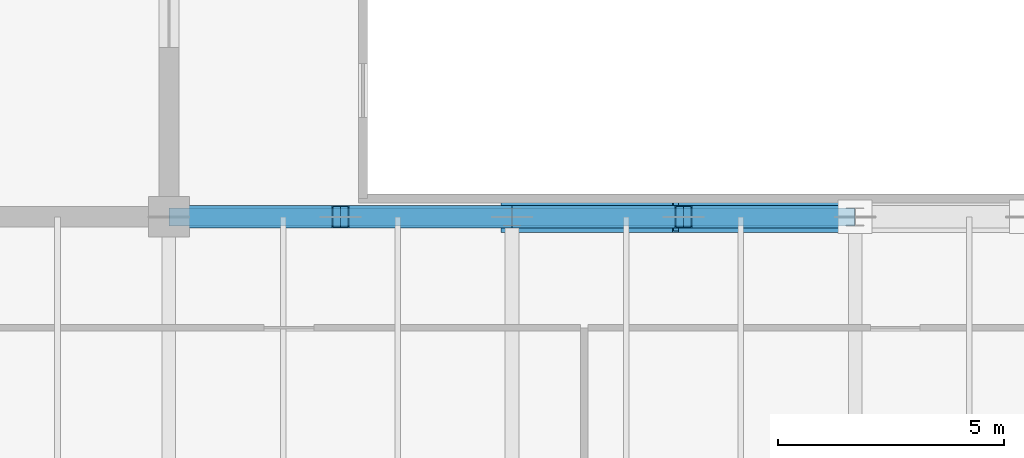
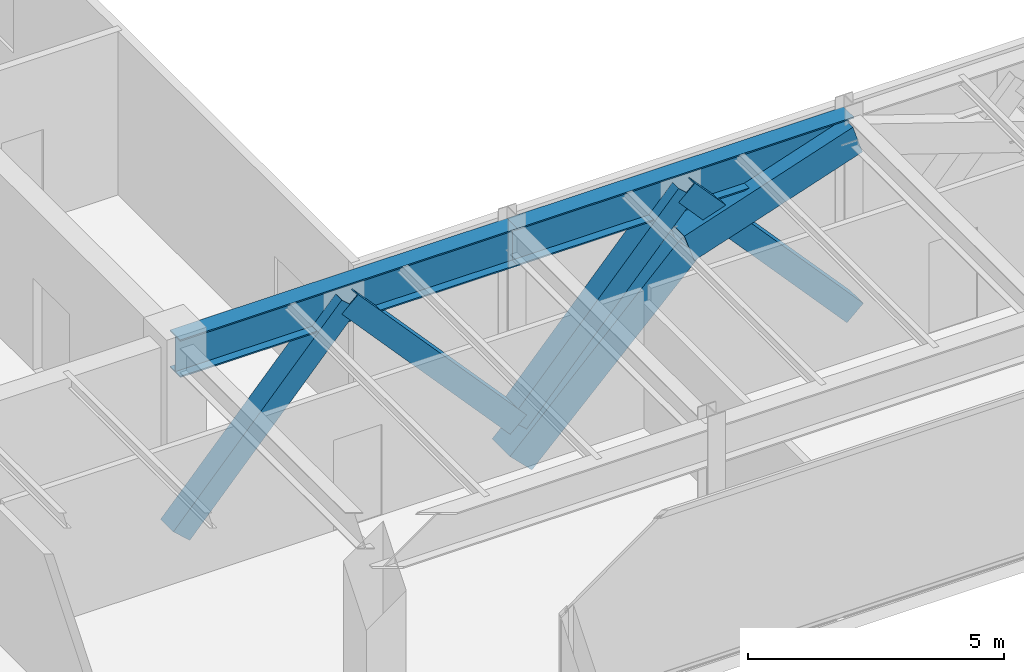
# One storey, part 8 of 32: 6 members, 2 beams.
"""IFC4 building model written with IfcOpenShell, lengths in metres."""

from ifc_helpers import new_model, si_unit, direction, frame, origin, origin_2d, place, context, subcontext, project, spatial, hollow_rectangle, i_section, extrude, source, transform, mapped, material, material_profile, profile_set, type_object, type_shapes, element, save


model = new_model("IFC4")

# Units and contexts
model_context = context("Model", 3, precision=1e-05, world=origin(), true_north=direction((0.0, 1.0)))
body_context = subcontext(model_context, "Body", "Model", "MODEL_VIEW")
ifc_project = project(units=[si_unit("LENGTHUNIT", "METRE"), si_unit("AREAUNIT", "SQUARE_METRE"), si_unit("VOLUMEUNIT", "CUBIC_METRE"), si_unit("PLANEANGLEUNIT", "RADIAN"), si_unit("MASSUNIT", "GRAM", prefix="KILO")], contexts=[model_context])

# Site, building, storey
site_placement = place(None, origin())
site = spatial("IfcSite", under=ifc_project, at=site_placement, CompositionType="ELEMENT")
building_placement = place(site_placement, origin())
building = spatial("IfcBuilding", under=site, at=building_placement, Name="Haelvirn Gate Laboratories", CompositionType="ELEMENT")
storey_placement = place(building_placement, frame((0.0, 0.0, 314.39990234375)))
storey = spatial("IfcBuildingStorey", under=building, at=storey_placement, Name="L75", CompositionType="ELEMENT", Elevation=314.39990234375)

# Beams
ifc_material = material(Name="Steel SM420", Category="steel")
ifc_material_profile_1 = material_profile(ifc_material, i_section(OverallWidth=0.39990234375, OverallDepth=0.89990234375, WebThickness=0.01904296875, FlangeThickness=0.031982421875, at=origin_2d()), Name="H-900x400x19x32")
ifc_profile_set_1 = profile_set([ifc_material_profile_1], Name="Steel SM420")
beam_type = type_object("IfcBeamType", Name="BM-TG-900", PredefinedType="BEAM", material=ifc_profile_set_1)
shared_shape_1 = source(origin(), body_context, "Body", "SweptSolid", [
    extrude(i_section(OverallWidth=0.39990234375, OverallDepth=0.89990234375, WebThickness=0.01904296875, FlangeThickness=0.031982421875, at=origin_2d()), origin(), (0.0, 0.0, 1.0), 7.60009765625),
])
beam_1_placement = place(storey_placement, frame((22.199951171875, 14.800048828125, 3.4501953125), z_axis=(1.0, 0.0, 0.0), x_axis=(0.0, 1.0, 0.0)))
element("IfcBeam", 1, at=beam_1_placement, inside=storey, type_object=beam_type, Name="L75 Primary Girder Y14.8 (22.2-29.8)", PredefinedType="BEAM", context=body_context, shape_type="MappedRepresentation", body=[
    mapped(shared_shape_1, transform((0.0, 0.0, 0.0), scale=1.0)),
])
shared_shape_2 = source(origin(), body_context, "Body", "SweptSolid", [
    extrude(i_section(OverallWidth=0.39990234375, OverallDepth=0.89990234375, WebThickness=0.01904296875, FlangeThickness=0.031982421875, at=origin_2d()), origin(), (0.0, 0.0, 1.0), 7.599853515625),
])
type_shapes(beam_type, [shared_shape_1, shared_shape_2])
beam_2_placement = place(storey_placement, frame((29.800048828125, 14.800048828125, 3.4501953125), z_axis=(1.0, 0.0, 0.0), x_axis=(0.0, 1.0, 0.0)))
element("IfcBeam", 2, at=beam_2_placement, inside=storey, type_object=beam_type, Name="L75 Primary Girder Y14.8 (29.8-37.4)", PredefinedType="BEAM", context=body_context, shape_type="MappedRepresentation", body=[
    mapped(shared_shape_2, transform((0.0, 0.0, 0.0), scale=1.0)),
])

# Members
ifc_material_profile_2 = material_profile(ifc_material, hollow_rectangle(XDim=0.699951171875, YDim=0.699951171875, WallThickness=0.031982421875, at=origin_2d()), Name="BOX-700x700x32")
ifc_profile_set_2 = profile_set([ifc_material_profile_2], Name="Steel SM420")
member_type_1 = type_object("IfcMemberType", Name="MEM-ARCH-RIB", PredefinedType="CHORD", material=ifc_profile_set_2)
shared_shape_3 = source(origin(), body_context, "Body", "SweptSolid", [
    extrude(hollow_rectangle(XDim=0.699951171875, YDim=0.699951171875, WallThickness=0.031982421875, at=origin_2d()), origin(), (0.0, 0.0, 1.0), 5.371826171875),
])
member_1_placement = place(storey_placement, frame((29.800048828125, 14.800048828125, -1.6123046875), z_axis=(0.707402133154, 0.0, 0.706811305802), x_axis=(0.0, 1.0, 0.0)))
element("IfcMember", 3, at=member_1_placement, inside=storey, type_object=member_type_1, Name="Parabolic Steel Arch Rib Y14.8 Seg 3", PredefinedType="CHORD", context=body_context, shape_type="MappedRepresentation", body=[
    mapped(shared_shape_3, transform((0.0, 0.0, 0.0), scale=1.0)),
])
shared_shape_4 = source(origin(), body_context, "Body", "SweptSolid", [
    extrude(hollow_rectangle(XDim=0.699951171875, YDim=0.699951171875, WallThickness=0.031982421875, at=origin_2d()), origin(), (0.0, 0.0, 1.0), 4.005126953125),
])
type_shapes(member_type_1, [shared_shape_3, shared_shape_4])
member_2_placement = place(storey_placement, frame((33.60009765625, 14.800048828125, 2.1845703125), z_axis=(0.94875642274, 0.0, 0.316008307343), x_axis=(0.0, 1.0, 0.0)))
element("IfcMember", 4, at=member_2_placement, inside=storey, type_object=member_type_1, Name="Parabolic Steel Arch Rib Y14.8 Seg 4", PredefinedType="CHORD", context=body_context, shape_type="MappedRepresentation", body=[
    mapped(shared_shape_4, transform((0.0, 0.0, 0.0), scale=1.0)),
])
ifc_material_profile_3 = material_profile(ifc_material, hollow_rectangle(XDim=0.5, YDim=0.5, WallThickness=0.02197265625, at=origin_2d()), Name="BOX-500x500x22")
ifc_profile_set_3 = profile_set([ifc_material_profile_3], Name="Steel SM420")
member_type_2 = type_object("IfcMemberType", Name="MEM-ARCH-WEB", PredefinedType="BRACE", material=ifc_profile_set_3)
shared_shape_5 = source(origin(), body_context, "Body", "SweptSolid", [
    extrude(hollow_rectangle(XDim=0.5, YDim=0.5, WallThickness=0.02197265625, at=origin_2d()), origin(), (0.0, 0.0, 1.0), 5.663818359375),
])
member_3_placement = place(storey_placement, frame((33.60009765625, 14.800048828125, 3.4501953125), z_axis=(0.670877205753, 0.0, -0.74156845591), x_axis=(0.0, 1.0, 0.0)))
element("IfcMember", 5, at=member_3_placement, inside=storey, type_object=member_type_2, Name="L75 Arch Truss Chevron Web Y14.8-2B", PredefinedType="BRACE", context=body_context, shape_type="MappedRepresentation", body=[
    mapped(shared_shape_5, transform((0.0, 0.0, 0.0), scale=1.0)),
])
shared_shape_6 = source(origin(), body_context, "Body", "SweptSolid", [
    extrude(hollow_rectangle(XDim=0.5, YDim=0.5, WallThickness=0.02197265625, at=origin_2d()), origin(), (0.0, 0.0, 1.0), 5.6640625),
])
type_shapes(member_type_2, [shared_shape_5, shared_shape_6])
for number, where, z_axis, x_axis, name in (
    (6, (22.199951171875, 14.800048828125, -0.75), (0.670900908871, 0.0, 0.741547011643), (0.0, 1.0, 0.0), "L75 Arch Truss Chevron Web Y14.8-1A"),
    (7, (26.0, 14.800048828125, 3.4501953125), (0.670900908871, 0.0, -0.741547011643), (0.0, 1.0, 0.0), "L75 Arch Truss Chevron Web Y14.8-1B"),
    (8, (29.800048828125, 14.800048828125, -0.75), (0.670900908871, 0.0, 0.741547011643), (0.0, 1.0, 0.0), "L75 Arch Truss Chevron Web Y14.8-2A"),
):
    element("IfcMember", number, at=place(storey_placement, frame(where, z_axis=z_axis, x_axis=x_axis)), inside=storey, type_object=member_type_2, Name=name, PredefinedType="BRACE", context=body_context, shape_type="MappedRepresentation", body=[
        mapped(shared_shape_6, transform((0.0, 0.0, 0.0), scale=1.0)),
    ])

save(model, "model.ifc")
